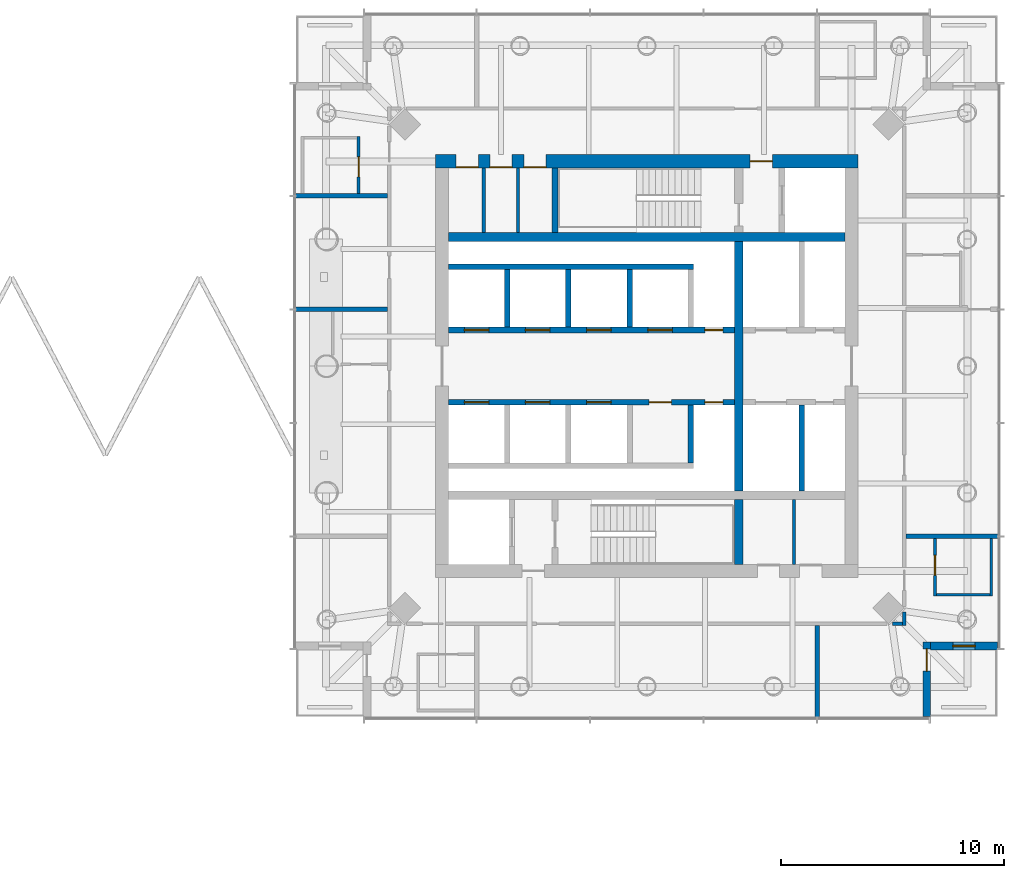
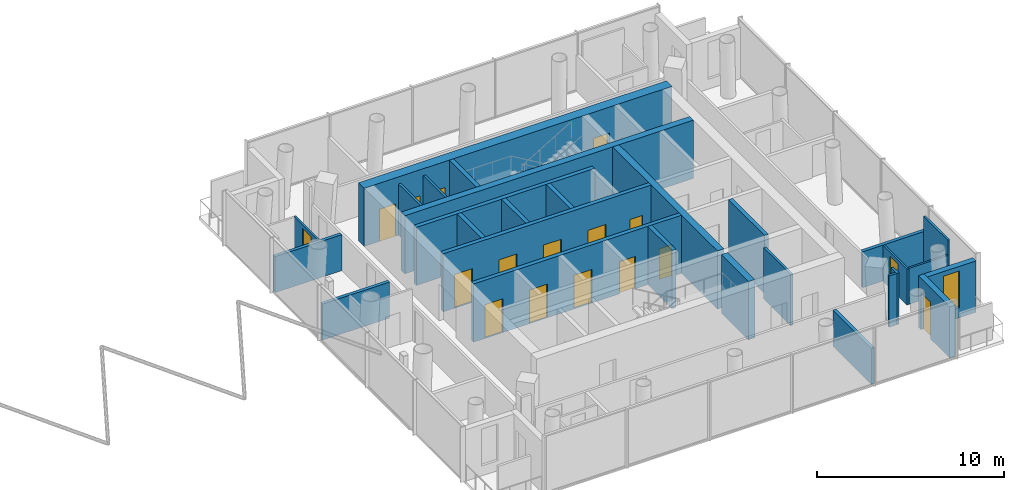
# One storey, part 14 of 19: 28 walls, 17 doors, 1 window, 18 openings.
"""IFC4 building model written with IfcOpenShell, lengths in metres."""

from ifc_helpers import new_model, si_unit, direction, frame, frame_2d, origin, place, context, subcontext, project, spatial, rectangle, extrude, material, layer, layer_set, type_object, element, fill, save


model = new_model("IFC4")

# Units and contexts
model_context = context("Model", 3, precision=1e-05, world=origin(), true_north=direction((0.0, 1.0)))
body_context = subcontext(model_context, "Body", "Model", "MODEL_VIEW")
ifc_project = project(units=[si_unit("LENGTHUNIT", "METRE"), si_unit("AREAUNIT", "SQUARE_METRE"), si_unit("VOLUMEUNIT", "CUBIC_METRE"), si_unit("PLANEANGLEUNIT", "RADIAN"), si_unit("MASSUNIT", "GRAM", prefix="KILO")], contexts=[model_context])

# Site, building, storey
site_placement = place(None, origin())
site = spatial("IfcSite", under=ifc_project, at=site_placement, CompositionType="ELEMENT")
building_placement = place(site_placement, origin())
building = spatial("IfcBuilding", under=site, at=building_placement, Name="Ostroluk Exchange", CompositionType="ELEMENT")
storey_placement = place(building_placement, frame((0.0, 0.0, 127.39990234375)))
storey = spatial("IfcBuildingStorey", under=building, at=storey_placement, Name="L32", CompositionType="ELEMENT", Elevation=127.39990234375)

# Walls
ifc_material_1 = material(Name="Concrete blockwork", Category="masonry")
ifc_layer_1 = layer(ifc_material_1, 0.14990234375)
ifc_layer_set_1 = layer_set([ifc_layer_1], Name="Blockwork plant room wall 150")
wall_type_1 = type_object("IfcWallType", Name="Blockwork plant room wall 150", PredefinedType="SOLIDWALL", material=ifc_layer_set_1)
for number, where, z_axis, x_axis, name in (
    (1, (123.614990234375, 37.10009765625, 0.0), (0.0, 0.0, 1.0), (0.0, 1.0, 0.0), "Core room wall"),
    (2, (109.680908203125, 52.0, 0.0), (0.0, 0.0, 1.0), (0.0, 1.0, 0.0), "Core room wall"),
    (3, (111.215576171875, 52.0, 0.0), (0.0, 0.0, 1.0), (0.0, 1.0, 0.0), "Core room wall"),
):
    element("IfcWall", number, at=place(storey_placement, frame(where, z_axis=z_axis, x_axis=x_axis)), inside=storey, type_object=wall_type_1, Name=name, PredefinedType="SOLIDWALL", context=body_context, shape_type="SweptSolid", body=[
        extrude(rectangle(XDim=2.89990234375, YDim=0.14990234375, at=frame_2d((1.449951171875, 0.0))), origin(), (0.0, 0.0, 1.0), 3.35009765625),
    ])
ifc_material_2 = material(Name="Concrete C50/60", Category="concrete")
ifc_layer_2 = layer(ifc_material_2, 0.39990234375)
ifc_layer_set_2 = layer_set([ifc_layer_2], Name="Core cross wall 400 C50/60")
wall_type_2 = type_object("IfcWallType", Name="Core cross wall 400 C50/60", PredefinedType="SHEAR", material=ifc_layer_set_2)
wall_1_placement = place(storey_placement, frame((108.10009765625, 51.800048828125, 0.0), z_axis=(0.0, 0.0, 1.0), x_axis=(1.0, 0.0, 0.0)))
element("IfcWall", 4, at=wall_1_placement, inside=storey, type_object=wall_type_2, Name="T2 core wall XN", PredefinedType="SHEAR", context=body_context, shape_type="SweptSolid", body=[
    extrude(rectangle(XDim=17.7998046875, YDim=0.39990234375, at=frame_2d((8.89990234375, 0.0))), origin(), (0.0, 0.0, 1.0), 3.800048828125),
])
wall_2_placement = place(storey_placement, frame((121.1298828125, 37.10009765625, 0.0), z_axis=(0.0, 0.0, 1.0), x_axis=(0.0, 1.0, 0.0)))
element("IfcWall", 5, at=wall_2_placement, inside=storey, type_object=wall_type_2, Name="T2 core wall YE1", PredefinedType="SHEAR", context=body_context, shape_type="SweptSolid", body=[
    extrude(rectangle(XDim=2.89990234375, YDim=0.39990234375, at=frame_2d((1.449951171875, 0.0))), origin(), (0.0, 0.0, 1.0), 3.800048828125),
])
wall_3_placement = place(storey_placement, frame((121.1298828125, 40.39990234375, 0.0), z_axis=(0.0, 0.0, 1.0), x_axis=(0.0, 1.0, 0.0)))
element("IfcWall", 6, at=wall_3_placement, inside=storey, type_object=wall_type_2, Name="T2 core wall YE2", PredefinedType="SHEAR", context=body_context, shape_type="SweptSolid", body=[
    extrude(rectangle(XDim=11.2001953125, YDim=0.39990234375, at=frame_2d((5.60009765625, 0.0))), origin(), (0.0, 0.0, 1.0), 3.800048828125),
])
ifc_material_3 = material(Name="Concrete C40/50", Category="concrete")
ifc_layer_3 = layer(ifc_material_3, 0.25)
ifc_layer_set_3 = layer_set([ifc_layer_3], Name="Core shaft wall 250")
wall_type_3 = type_object("IfcWallType", Name="Core shaft wall 250", PredefinedType="SHEAR", material=ifc_layer_set_3)
wall_4_placement = place(storey_placement, frame((112.875, 52.0, 0.0), z_axis=(0.0, 0.0, 1.0), x_axis=(0.0, 1.0, 0.0)))
element("IfcWall", 7, at=wall_4_placement, inside=storey, type_object=wall_type_3, Name="Stair shaft wall", PredefinedType="SHEAR", context=body_context, shape_type="SweptSolid", body=[
    extrude(rectangle(XDim=2.89990234375, YDim=0.25, at=frame_2d((1.449951171875, 0.0))), origin(), (0.0, 0.0, 1.0), 3.800048828125),
])
for number, where, z_axis, x_axis, name in (
    (8, (110.72509765625, 47.75, 0.0), (0.0, 0.0, 1.0), (0.0, 1.0, 0.0), "Lift shaft wall"),
    (9, (113.47509765625, 47.75, 0.0), (0.0, 0.0, 1.0), (0.0, 1.0, 0.0), "Lift shaft wall"),
    (10, (116.22509765625, 47.75, 0.0), (0.0, 0.0, 1.0), (0.0, 1.0, 0.0), "Lift shaft wall"),
):
    element("IfcWall", number, at=place(storey_placement, frame(where, z_axis=z_axis, x_axis=x_axis)), inside=storey, type_object=wall_type_3, Name=name, PredefinedType="SHEAR", context=body_context, shape_type="SweptSolid", body=[
        extrude(rectangle(XDim=2.60009765625, YDim=0.25, at=frame_2d((1.300048828125, 0.0))), origin(), (0.0, 0.0, 1.0), 3.800048828125),
    ])
wall_5_placement = place(storey_placement, frame((108.10009765625, 50.47509765625, 0.0), z_axis=(0.0, 0.0, 1.0), x_axis=(1.0, 0.0, 0.0)))
element("IfcWall", 11, at=wall_5_placement, inside=storey, type_object=wall_type_3, Name="Lift shaft wall", PredefinedType="SHEAR", context=body_context, shape_type="SweptSolid", body=[
    extrude(rectangle(XDim=11.0, YDim=0.25, at=frame_2d((5.5, 0.0))), origin(), (0.0, 0.0, 1.0), 3.800048828125),
])

# Wall, openings, doors
wall_6_placement = place(storey_placement, frame((108.10009765625, 47.625, 0.0), z_axis=(0.0, 0.0, 1.0), x_axis=(1.0, 0.0, 0.0)))
wall_6 = element("IfcWall", 12, at=wall_6_placement, inside=storey, type_object=wall_type_3, Name="Lift shaft front wall", PredefinedType="SHEAR", context=body_context, shape_type="SweptSolid", body=[
    extrude(rectangle(XDim=12.829833984375, YDim=0.25, at=frame_2d((6.4150390625, 0.0))), origin(), (0.0, 0.0, 1.0), 3.800048828125),
])
opening_1_placement = place(wall_6_placement, frame((0.699951171875, 0.0, 0.0)))
opening_1 = element("IfcOpeningElement", 13, at=opening_1_placement, cuts=wall_6, Name="Opening LD", PredefinedType="OPENING", context=body_context, shape_type="SweptSolid", body=[
    extrude(rectangle(XDim=1.10009765625, YDim=2.199951171875, at=frame_2d((0.550048828125, 1.10009765625))), frame((0.0, 0.135009765625, 0.0), z_axis=(0.0, -1.0, 0.0), x_axis=(1.0, 0.0, 0.0)), (0.0, 0.0, 1.0), 0.27001953125),
])
opening_2_placement = place(wall_6_placement, frame((3.449951171875, 0.0, 0.0)))
opening_2 = element("IfcOpeningElement", 14, at=opening_2_placement, cuts=wall_6, Name="Opening LD", PredefinedType="OPENING", context=body_context, shape_type="SweptSolid", body=[
    extrude(rectangle(XDim=1.10009765625, YDim=2.199951171875, at=frame_2d((0.550048828125, 1.10009765625))), frame((0.0, 0.135009765625, 0.0), z_axis=(0.0, -1.0, 0.0), x_axis=(1.0, 0.0, 0.0)), (0.0, 0.0, 1.0), 0.27001953125),
])
opening_3_placement = place(wall_6_placement, frame((6.199951171875, 0.0, 0.0)))
opening_3 = element("IfcOpeningElement", 15, at=opening_3_placement, cuts=wall_6, Name="Opening LD", PredefinedType="OPENING", context=body_context, shape_type="SweptSolid", body=[
    extrude(rectangle(XDim=1.10009765625, YDim=2.199951171875, at=frame_2d((0.550048828125, 1.10009765625))), frame((0.0, 0.135009765625, 0.0), z_axis=(0.0, -1.0, 0.0), x_axis=(1.0, 0.0, 0.0)), (0.0, 0.0, 1.0), 0.27001953125),
])
opening_4_placement = place(wall_6_placement, frame((8.949951171875, 0.0, 0.0)))
opening_4 = element("IfcOpeningElement", 16, at=opening_4_placement, cuts=wall_6, Name="Opening LD", PredefinedType="OPENING", context=body_context, shape_type="SweptSolid", body=[
    extrude(rectangle(XDim=1.10009765625, YDim=2.199951171875, at=frame_2d((0.550048828125, 1.10009765625))), frame((0.0, 0.135009765625, 0.0), z_axis=(0.0, -1.0, 0.0), x_axis=(1.0, 0.0, 0.0)), (0.0, 0.0, 1.0), 0.27001953125),
])
opening_5_placement = place(wall_6_placement, frame((11.514892578125, 0.0, 0.0)))
opening_5 = element("IfcOpeningElement", 17, at=opening_5_placement, cuts=wall_6, Name="Opening RD60", PredefinedType="OPENING", context=body_context, shape_type="SweptSolid", body=[
    extrude(rectangle(XDim=0.800048828125, YDim=2.0, at=frame_2d((0.39990234375, 1.0))), frame((0.0, 0.135009765625, 0.0), z_axis=(0.0, -1.0, 0.0), x_axis=(1.0, 0.0, 0.0)), (0.0, 0.0, 1.0), 0.27001953125),
])
ifc_material_4 = material(Name="Stainless steel", Category="steel")
door_type_1 = type_object("IfcDoorType", Name="Lift landing door E 60 1100 x 2200", OperationType="DOUBLE_DOOR_SLIDING", PredefinedType="DOOR", material=ifc_material_4)
door_1_placement = place(opening_1_placement, origin())
door_1 = element("IfcDoor", 18, at=door_1_placement, inside=storey, type_object=door_type_1, Name="Lift HL1 landing door", OperationType="DOUBLE_DOOR_SLIDING", OverallHeight=2.199951171875, OverallWidth=1.10009765625, PredefinedType="DOOR", context=body_context, shape_type="SweptSolid", body=[
    extrude(rectangle(XDim=1.10009765625, YDim=2.199951171875, at=frame_2d((0.550048828125, 1.10009765625))), frame((0.0, 0.02490234375, 0.0), z_axis=(0.0, -1.0, 0.0), x_axis=(1.0, 0.0, 0.0)), (0.0, 0.0, 1.0), 0.050048828125),
])
fill(opening_1, door_1)
door_2_placement = place(opening_2_placement, origin())
door_2 = element("IfcDoor", 19, at=door_2_placement, inside=storey, type_object=door_type_1, Name="Lift HL2 landing door", OperationType="DOUBLE_DOOR_SLIDING", OverallHeight=2.199951171875, OverallWidth=1.10009765625, PredefinedType="DOOR", context=body_context, shape_type="SweptSolid", body=[
    extrude(rectangle(XDim=1.10009765625, YDim=2.199951171875, at=frame_2d((0.550048828125, 1.10009765625))), frame((0.0, 0.02490234375, 0.0), z_axis=(0.0, -1.0, 0.0), x_axis=(1.0, 0.0, 0.0)), (0.0, 0.0, 1.0), 0.050048828125),
])
fill(opening_2, door_2)
door_3_placement = place(opening_3_placement, origin())
door_3 = element("IfcDoor", 20, at=door_3_placement, inside=storey, type_object=door_type_1, Name="Lift HL3 landing door", OperationType="DOUBLE_DOOR_SLIDING", OverallHeight=2.199951171875, OverallWidth=1.10009765625, PredefinedType="DOOR", context=body_context, shape_type="SweptSolid", body=[
    extrude(rectangle(XDim=1.10009765625, YDim=2.199951171875, at=frame_2d((0.550048828125, 1.10009765625))), frame((0.0, 0.02490234375, 0.0), z_axis=(0.0, -1.0, 0.0), x_axis=(1.0, 0.0, 0.0)), (0.0, 0.0, 1.0), 0.050048828125),
])
fill(opening_3, door_3)
door_4_placement = place(opening_4_placement, origin())
door_4 = element("IfcDoor", 21, at=door_4_placement, inside=storey, type_object=door_type_1, Name="Lift HL4 landing door", OperationType="DOUBLE_DOOR_SLIDING", OverallHeight=2.199951171875, OverallWidth=1.10009765625, PredefinedType="DOOR", context=body_context, shape_type="SweptSolid", body=[
    extrude(rectangle(XDim=1.10009765625, YDim=2.199951171875, at=frame_2d((0.550048828125, 1.10009765625))), frame((0.0, 0.02490234375, 0.0), z_axis=(0.0, -1.0, 0.0), x_axis=(1.0, 0.0, 0.0)), (0.0, 0.0, 1.0), 0.050048828125),
])
fill(opening_4, door_4)
ifc_material_5 = material(Name="Steel", Category="steel")
door_type_2 = type_object("IfcDoorType", Name="Riser access door EI 60 800 x 2000", OperationType="SINGLE_SWING_LEFT", PredefinedType="DOOR", material=ifc_material_5)
door_5_placement = place(opening_5_placement, origin())
door_5 = element("IfcDoor", 22, at=door_5_placement, inside=storey, type_object=door_type_2, Name="Riser access door", OperationType="SINGLE_SWING_RIGHT", OverallHeight=2.0, OverallWidth=0.800048828125, PredefinedType="DOOR", context=body_context, shape_type="SweptSolid", body=[
    extrude(rectangle(XDim=0.800048828125, YDim=2.0, at=frame_2d((0.39990234375, 1.0))), frame((0.0, 0.02490234375, 0.0), z_axis=(0.0, -1.0, 0.0), x_axis=(1.0, 0.0, 0.0)), (0.0, 0.0, 1.0), 0.050048828125),
])
fill(opening_5, door_5)

# Wall
wall_7_placement = place(storey_placement, frame((118.97509765625, 44.25, 0.0), z_axis=(0.0, 0.0, 1.0), x_axis=(0.0, -1.0, 0.0)))
element("IfcWall", 23, at=wall_7_placement, inside=storey, type_object=wall_type_3, Name="Lift shaft wall", PredefinedType="SHEAR", context=body_context, shape_type="SweptSolid", body=[
    extrude(rectangle(XDim=2.60009765625, YDim=0.25, at=frame_2d((1.300048828125, 0.0))), origin(), (0.0, 0.0, 1.0), 3.800048828125),
])

# Wall, openings, doors
wall_8_placement = place(storey_placement, frame((108.10009765625, 44.375, 0.0), z_axis=(0.0, 0.0, 1.0), x_axis=(1.0, 0.0, 0.0)))
wall_8 = element("IfcWall", 24, at=wall_8_placement, inside=storey, type_object=wall_type_3, Name="Lift shaft front wall", PredefinedType="SHEAR", context=body_context, shape_type="SweptSolid", body=[
    extrude(rectangle(XDim=12.829833984375, YDim=0.25, at=frame_2d((6.4150390625, 0.0))), origin(), (0.0, 0.0, 1.0), 3.800048828125),
])
opening_6_placement = place(wall_8_placement, frame((0.699951171875, 0.0, 0.0)))
opening_6 = element("IfcOpeningElement", 25, at=opening_6_placement, cuts=wall_8, Name="Opening LD", PredefinedType="OPENING", context=body_context, shape_type="SweptSolid", body=[
    extrude(rectangle(XDim=1.10009765625, YDim=2.199951171875, at=frame_2d((0.550048828125, 1.10009765625))), frame((0.0, 0.135009765625, 0.0), z_axis=(0.0, -1.0, 0.0), x_axis=(1.0, 0.0, 0.0)), (0.0, 0.0, 1.0), 0.27001953125),
])
opening_7_placement = place(wall_8_placement, frame((3.449951171875, 0.0, 0.0)))
opening_7 = element("IfcOpeningElement", 26, at=opening_7_placement, cuts=wall_8, Name="Opening LD", PredefinedType="OPENING", context=body_context, shape_type="SweptSolid", body=[
    extrude(rectangle(XDim=1.10009765625, YDim=2.199951171875, at=frame_2d((0.550048828125, 1.10009765625))), frame((0.0, 0.135009765625, 0.0), z_axis=(0.0, -1.0, 0.0), x_axis=(1.0, 0.0, 0.0)), (0.0, 0.0, 1.0), 0.27001953125),
])
opening_8_placement = place(wall_8_placement, frame((6.199951171875, 0.0, 0.0)))
opening_8 = element("IfcOpeningElement", 27, at=opening_8_placement, cuts=wall_8, Name="Opening LD", PredefinedType="OPENING", context=body_context, shape_type="SweptSolid", body=[
    extrude(rectangle(XDim=1.10009765625, YDim=2.199951171875, at=frame_2d((0.550048828125, 1.10009765625))), frame((0.0, 0.135009765625, 0.0), z_axis=(0.0, -1.0, 0.0), x_axis=(1.0, 0.0, 0.0)), (0.0, 0.0, 1.0), 0.27001953125),
])
opening_9_placement = place(wall_8_placement, frame((9.0, 0.0, 0.0)))
opening_9 = element("IfcOpeningElement", 28, at=opening_9_placement, cuts=wall_8, Name="Opening FD60", PredefinedType="OPENING", context=body_context, shape_type="SweptSolid", body=[
    extrude(rectangle(XDim=1.0, YDim=2.10009765625, at=frame_2d((0.5, 1.050048828125))), frame((0.0, 0.135009765625, 0.0), z_axis=(0.0, -1.0, 0.0), x_axis=(1.0, 0.0, 0.0)), (0.0, 0.0, 1.0), 0.27001953125),
])
opening_10_placement = place(wall_8_placement, frame((11.514892578125, 0.0, 0.0)))
opening_10 = element("IfcOpeningElement", 29, at=opening_10_placement, cuts=wall_8, Name="Opening RD60", PredefinedType="OPENING", context=body_context, shape_type="SweptSolid", body=[
    extrude(rectangle(XDim=0.800048828125, YDim=2.0, at=frame_2d((0.39990234375, 1.0))), frame((0.0, 0.135009765625, 0.0), z_axis=(0.0, -1.0, 0.0), x_axis=(1.0, 0.0, 0.0)), (0.0, 0.0, 1.0), 0.27001953125),
])
ifc_material_6 = material(Name="Steel", Category="steel")
door_type_3 = type_object("IfcDoorType", Name="Fire door EI 60 1000 x 2100", OperationType="SINGLE_SWING_LEFT", PredefinedType="DOOR", material=ifc_material_6)
door_6_placement = place(opening_9_placement, origin())
door_6 = element("IfcDoor", 30, at=door_6_placement, inside=storey, type_object=door_type_3, Name="Core room door", OperationType="SINGLE_SWING_RIGHT", OverallHeight=2.10009765625, OverallWidth=1.0, PredefinedType="DOOR", context=body_context, shape_type="SweptSolid", body=[
    extrude(rectangle(XDim=1.0, YDim=2.10009765625, at=frame_2d((0.5, 1.050048828125))), frame((0.0, 0.02490234375, 0.0), z_axis=(0.0, -1.0, 0.0), x_axis=(1.0, 0.0, 0.0)), (0.0, 0.0, 1.0), 0.050048828125),
])
fill(opening_9, door_6)
door_7_placement = place(opening_6_placement, origin())
door_7 = element("IfcDoor", 31, at=door_7_placement, inside=storey, type_object=door_type_1, Name="Lift HL5 landing door", OperationType="DOUBLE_DOOR_SLIDING", OverallHeight=2.199951171875, OverallWidth=1.10009765625, PredefinedType="DOOR", context=body_context, shape_type="SweptSolid", body=[
    extrude(rectangle(XDim=1.10009765625, YDim=2.199951171875, at=frame_2d((0.550048828125, 1.10009765625))), frame((0.0, 0.02490234375, 0.0), z_axis=(0.0, -1.0, 0.0), x_axis=(1.0, 0.0, 0.0)), (0.0, 0.0, 1.0), 0.050048828125),
])
fill(opening_6, door_7)
door_8_placement = place(opening_7_placement, origin())
door_8 = element("IfcDoor", 32, at=door_8_placement, inside=storey, type_object=door_type_1, Name="Lift HL6 landing door", OperationType="DOUBLE_DOOR_SLIDING", OverallHeight=2.199951171875, OverallWidth=1.10009765625, PredefinedType="DOOR", context=body_context, shape_type="SweptSolid", body=[
    extrude(rectangle(XDim=1.10009765625, YDim=2.199951171875, at=frame_2d((0.550048828125, 1.10009765625))), frame((0.0, 0.02490234375, 0.0), z_axis=(0.0, -1.0, 0.0), x_axis=(1.0, 0.0, 0.0)), (0.0, 0.0, 1.0), 0.050048828125),
])
fill(opening_7, door_8)
door_9_placement = place(opening_8_placement, origin())
door_9 = element("IfcDoor", 33, at=door_9_placement, inside=storey, type_object=door_type_1, Name="Lift HL7 landing door", OperationType="DOUBLE_DOOR_SLIDING", OverallHeight=2.199951171875, OverallWidth=1.10009765625, PredefinedType="DOOR", context=body_context, shape_type="SweptSolid", body=[
    extrude(rectangle(XDim=1.10009765625, YDim=2.199951171875, at=frame_2d((0.550048828125, 1.10009765625))), frame((0.0, 0.02490234375, 0.0), z_axis=(0.0, -1.0, 0.0), x_axis=(1.0, 0.0, 0.0)), (0.0, 0.0, 1.0), 0.050048828125),
])
fill(opening_8, door_9)
door_10_placement = place(opening_10_placement, origin())
door_10 = element("IfcDoor", 34, at=door_10_placement, inside=storey, type_object=door_type_2, Name="Riser access door", OperationType="SINGLE_SWING_RIGHT", OverallHeight=2.0, OverallWidth=0.800048828125, PredefinedType="DOOR", context=body_context, shape_type="SweptSolid", body=[
    extrude(rectangle(XDim=0.800048828125, YDim=2.0, at=frame_2d((0.39990234375, 1.0))), frame((0.0, 0.02490234375, 0.0), z_axis=(0.0, -1.0, 0.0), x_axis=(1.0, 0.0, 0.0)), (0.0, 0.0, 1.0), 0.050048828125),
])
fill(opening_10, door_10)

# Wall
wall_9_placement = place(storey_placement, frame((123.955078125, 44.25, 0.0), z_axis=(0.0, 0.0, 1.0), x_axis=(0.0, -1.0, 0.0)))
element("IfcWall", 35, at=wall_9_placement, inside=storey, type_object=wall_type_3, Name="Lift shaft wall", PredefinedType="SHEAR", context=body_context, shape_type="SweptSolid", body=[
    extrude(rectangle(XDim=3.85009765625, YDim=0.25, at=frame_2d((1.925048828125, 0.0))), origin(), (0.0, 0.0, 1.0), 3.800048828125),
])

# Wall, openings, doors
ifc_material_7 = material(Name="Concrete C50/60", Category="concrete")
ifc_layer_4 = layer(ifc_material_7, 0.60009765625)
ifc_layer_set_4 = layer_set([ifc_layer_4], Name="Core wall 600 C50/60")
wall_type_4 = type_object("IfcWallType", Name="Core wall 600 C50/60", PredefinedType="SHEAR", material=ifc_layer_set_4)
wall_10_placement = place(storey_placement, frame((107.5, 55.199951171875, 0.0), z_axis=(0.0, 0.0, 1.0), x_axis=(1.0, 0.0, 0.0)))
wall_10 = element("IfcWall", 36, at=wall_10_placement, inside=storey, type_object=wall_type_4, Name="T2 core wall N", PredefinedType="SHEAR", context=body_context, shape_type="SweptSolid", body=[
    extrude(rectangle(XDim=19.0, YDim=0.60009765625, at=frame_2d((9.5, 0.0))), origin(), (0.0, 0.0, 1.0), 3.800048828125),
])
opening_11_placement = place(wall_10_placement, frame((14.139892578125, 0.0, 0.0)))
opening_11 = element("IfcOpeningElement", 37, at=opening_11_placement, cuts=wall_10, Name="Opening FD60", PredefinedType="OPENING", context=body_context, shape_type="SweptSolid", body=[
    extrude(rectangle(XDim=1.0, YDim=2.10009765625, at=frame_2d((0.5, 1.050048828125))), frame((0.0, 0.31005859375, 0.0), z_axis=(0.0, -1.0, 0.0), x_axis=(1.0, 0.0, 0.0)), (0.0, 0.0, 1.0), 0.6201171875),
])
opening_12_placement = place(wall_10_placement, frame((0.930908203125, 0.0, 0.0)))
opening_12 = element("IfcOpeningElement", 38, at=opening_12_placement, cuts=wall_10, Name="Opening FD60", PredefinedType="OPENING", context=body_context, shape_type="SweptSolid", body=[
    extrude(rectangle(XDim=1.0, YDim=2.10009765625, at=frame_2d((0.5, 1.050048828125))), frame((0.0, 0.31005859375, 0.0), z_axis=(0.0, -1.0, 0.0), x_axis=(1.0, 0.0, 0.0)), (0.0, 0.0, 1.0), 0.6201171875),
])
opening_13_placement = place(wall_10_placement, frame((2.4482421875, 0.0, 0.0)))
opening_13 = element("IfcOpeningElement", 39, at=opening_13_placement, cuts=wall_10, Name="Opening FD60", PredefinedType="OPENING", context=body_context, shape_type="SweptSolid", body=[
    extrude(rectangle(XDim=1.0, YDim=2.10009765625, at=frame_2d((0.5, 1.050048828125))), frame((0.0, 0.31005859375, 0.0), z_axis=(0.0, -1.0, 0.0), x_axis=(1.0, 0.0, 0.0)), (0.0, 0.0, 1.0), 0.6201171875),
])
opening_14_placement = place(wall_10_placement, frame((3.982666015625, 0.0, 0.0)))
opening_14 = element("IfcOpeningElement", 40, at=opening_14_placement, cuts=wall_10, Name="Opening FD60", PredefinedType="OPENING", context=body_context, shape_type="SweptSolid", body=[
    extrude(rectangle(XDim=1.0, YDim=2.10009765625, at=frame_2d((0.5, 1.050048828125))), frame((0.0, 0.31005859375, 0.0), z_axis=(0.0, -1.0, 0.0), x_axis=(1.0, 0.0, 0.0)), (0.0, 0.0, 1.0), 0.6201171875),
])
door_11_placement = place(opening_11_placement, origin())
door_11 = element("IfcDoor", 41, at=door_11_placement, inside=storey, type_object=door_type_3, Name="Firefighting lobby door", OperationType="SINGLE_SWING_RIGHT", OverallHeight=2.10009765625, OverallWidth=1.0, PredefinedType="DOOR", context=body_context, shape_type="SweptSolid", body=[
    extrude(rectangle(XDim=1.0, YDim=2.10009765625, at=frame_2d((0.5, 1.050048828125))), frame((0.0, 0.02490234375, 0.0), z_axis=(0.0, -1.0, 0.0), x_axis=(1.0, 0.0, 0.0)), (0.0, 0.0, 1.0), 0.050048828125),
])
fill(opening_11, door_11)
door_12_placement = place(opening_12_placement, origin())
door_12 = element("IfcDoor", 42, at=door_12_placement, inside=storey, type_object=door_type_3, Name="Luggage store door", OperationType="SINGLE_SWING_LEFT", OverallHeight=2.10009765625, OverallWidth=1.0, PredefinedType="DOOR", context=body_context, shape_type="SweptSolid", body=[
    extrude(rectangle(XDim=1.0, YDim=2.10009765625, at=frame_2d((0.5, 1.050048828125))), frame((0.0, -0.23974609375, 0.0), z_axis=(0.0, -1.0, 0.0), x_axis=(1.0, 0.0, 0.0)), (0.0, 0.0, 1.0), 0.050048828125),
])
fill(opening_12, door_12)
door_13_placement = place(opening_13_placement, origin())
door_13 = element("IfcDoor", 43, at=door_13_placement, inside=storey, type_object=door_type_3, Name="Comms room door", OperationType="SINGLE_SWING_LEFT", OverallHeight=2.10009765625, OverallWidth=1.0, PredefinedType="DOOR", context=body_context, shape_type="SweptSolid", body=[
    extrude(rectangle(XDim=1.0, YDim=2.10009765625, at=frame_2d((0.5, 1.050048828125))), frame((0.0, -0.23974609375, 0.0), z_axis=(0.0, -1.0, 0.0), x_axis=(1.0, 0.0, 0.0)), (0.0, 0.0, 1.0), 0.050048828125),
])
fill(opening_13, door_13)
door_14_placement = place(opening_14_placement, origin())
door_14 = element("IfcDoor", 44, at=door_14_placement, inside=storey, type_object=door_type_3, Name="Linen store door", OperationType="SINGLE_SWING_LEFT", OverallHeight=2.10009765625, OverallWidth=1.0, PredefinedType="DOOR", context=body_context, shape_type="SweptSolid", body=[
    extrude(rectangle(XDim=1.0, YDim=2.10009765625, at=frame_2d((0.5, 1.050048828125))), frame((0.0, -0.23974609375, 0.0), z_axis=(0.0, -1.0, 0.0), x_axis=(1.0, 0.0, 0.0)), (0.0, 0.0, 1.0), 0.050048828125),
])
fill(opening_14, door_14)

# Wall, opening, door
ifc_material_8 = material(Name="Limestone", Category="masonry")
ifc_layer_5 = layer(ifc_material_8, 0.35009765625)
ifc_layer_set_5 = layer_set([ifc_layer_5], Name="Limestone facade wall 350")
wall_type_5 = type_object("IfcWallType", Name="Limestone facade wall 350", PredefinedType="SOLIDWALL", material=ifc_layer_set_5)
wall_11_placement = place(storey_placement, frame((129.574951171875, 30.25, 0.0), z_axis=(0.0, 0.0, 1.0), x_axis=(0.0, 1.0, 0.0)))
wall_11 = element("IfcWall", 45, at=wall_11_placement, inside=storey, type_object=wall_type_5, Name="Hotel tower SE corner wall L32 a", PredefinedType="SOLIDWALL", context=body_context, shape_type="SweptSolid", body=[
    extrude(rectangle(XDim=3.35009765625, YDim=0.35009765625, at=frame_2d((1.675048828125, 0.0))), origin(), (0.0, 0.0, 1.0), 3.35009765625),
])
opening_15_placement = place(wall_11_placement, frame((2.050048828125, 0.0, 0.0)))
opening_15 = element("IfcOpeningElement", 46, at=opening_15_placement, cuts=wall_11, Name="Opening D-B1", PredefinedType="OPENING", context=body_context, shape_type="SweptSolid", body=[
    extrude(rectangle(XDim=1.0, YDim=2.39990234375, at=frame_2d((0.5, 1.199951171875))), frame((0.0, 0.18505859375, 0.0), z_axis=(0.0, -1.0, 0.0), x_axis=(1.0, 0.0, 0.0)), (0.0, 0.0, 1.0), 0.3701171875),
])
ifc_material_9 = material(Name="Bronze framed glazed door", Category="aluminium")
door_type_4 = type_object("IfcDoorType", Name="Balcony door 1000 x 2400", OperationType="SINGLE_SWING_LEFT", PredefinedType="DOOR", material=ifc_material_9)
door_15_placement = place(opening_15_placement, origin())
door_15 = element("IfcDoor", 47, at=door_15_placement, inside=storey, type_object=door_type_4, Name="Hotel tower SE balcony door L32", OperationType="SINGLE_SWING_RIGHT", OverallHeight=2.39990234375, OverallWidth=1.0, PredefinedType="DOOR", context=body_context, shape_type="SweptSolid", body=[
    extrude(rectangle(XDim=1.0, YDim=2.39990234375, at=frame_2d((0.5, 1.199951171875))), frame((0.0, 0.02490234375, 0.0), z_axis=(0.0, -1.0, 0.0), x_axis=(1.0, 0.0, 0.0)), (0.0, 0.0, 1.0), 0.050048828125),
])
fill(opening_15, door_15)

# Wall, opening, window
wall_12_placement = place(storey_placement, frame((129.75, 33.425048828125, 0.0), z_axis=(0.0, 0.0, 1.0), x_axis=(1.0, 0.0, 0.0)))
wall_12 = element("IfcWall", 48, at=wall_12_placement, inside=storey, type_object=wall_type_5, Name="Hotel tower SE corner wall L32 b", PredefinedType="SOLIDWALL", context=body_context, shape_type="SweptSolid", body=[
    extrude(rectangle(XDim=3.0, YDim=0.35009765625, at=frame_2d((1.5, 0.0))), origin(), (0.0, 0.0, 1.0), 3.35009765625),
])
opening_16_placement = place(wall_12_placement, frame((1.0, 0.0, 0.64990234375)))
opening_16 = element("IfcOpeningElement", 49, at=opening_16_placement, cuts=wall_12, Name="Opening WN-L3", PredefinedType="OPENING", context=body_context, shape_type="SweptSolid", body=[
    extrude(rectangle(XDim=1.0, YDim=2.39990234375, at=frame_2d((0.5, 1.199951171875))), frame((0.0, 0.18505859375, 0.0), z_axis=(0.0, -1.0, 0.0), x_axis=(1.0, 0.0, 0.0)), (0.0, 0.0, 1.0), 0.3701171875),
])
ifc_material_10 = material(Name="Laminated clear glass", Category="glass")
window_type = type_object("IfcWindowType", Name="Hotel lancet window 1000 x 2400", PartitioningType="SINGLE_PANEL", PredefinedType="WINDOW", material=ifc_material_10)
window_placement = place(opening_16_placement, origin())
window = element("IfcWindow", 50, at=window_placement, inside=storey, type_object=window_type, Name="Hotel tower SE lancet window L32", OverallHeight=2.39990234375, OverallWidth=1.0, PartitioningType="SINGLE_PANEL", PredefinedType="WINDOW", context=body_context, shape_type="SweptSolid", body=[
    extrude(rectangle(XDim=1.0, YDim=2.39990234375, at=frame_2d((0.5, 1.199951171875))), frame((0.0, 0.030029296875, 0.0), z_axis=(0.0, -1.0, 0.0), x_axis=(1.0, 0.0, 0.0)), (0.0, 0.0, 1.0), 0.06005859375),
])
fill(opening_16, window)

# Wall, opening, door
ifc_material_11 = material(Name="Gypsum plasterboard partition, moisture resistant", Category="gypsum")
ifc_layer_6 = layer(ifc_material_11, 0.1201171875)
ifc_layer_set_6 = layer_set([ifc_layer_6], Name="Plasterboard en-suite wall 120")
wall_type_6 = type_object("IfcWallType", Name="Plasterboard en-suite wall 120", PredefinedType="PARTITIONING", material=ifc_layer_set_6)
wall_13_placement = place(storey_placement, frame((129.949951171875, 38.25, 0.0), z_axis=(0.0, 0.0, 1.0), x_axis=(0.0, -1.0, 0.0)))
wall_13 = element("IfcWall", 51, at=wall_13_placement, inside=storey, type_object=wall_type_6, Name="En-suite wall", PredefinedType="PARTITIONING", context=body_context, shape_type="SweptSolid", body=[
    extrude(rectangle(XDim=2.580078125, YDim=0.1201171875, at=frame_2d((1.2900390625, 0.0))), origin(), (0.0, 0.0, 1.0), 2.338134765625),
])
opening_17_placement = place(wall_13_placement, frame((0.75, 0.0, 0.0)))
opening_17 = element("IfcOpeningElement", 52, at=opening_17_placement, cuts=wall_13, Name="Opening D-02", PredefinedType="OPENING", context=body_context, shape_type="SweptSolid", body=[
    extrude(rectangle(XDim=0.89990234375, YDim=2.10009765625, at=frame_2d((0.449951171875, 1.050048828125))), frame((0.0, 0.070068359375, 0.0), z_axis=(0.0, -1.0, 0.0), x_axis=(1.0, 0.0, 0.0)), (0.0, 0.0, 1.0), 0.14013671875),
])
ifc_material_12 = material(Name="Timber", Category="wood")
door_type_5 = type_object("IfcDoorType", Name="En-suite door 900 x 2100", OperationType="SINGLE_SWING_LEFT", PredefinedType="DOOR", material=ifc_material_12)
door_16_placement = place(opening_17_placement, origin())
door_16 = element("IfcDoor", 53, at=door_16_placement, inside=storey, type_object=door_type_5, Name="En-suite door 3201", OperationType="SINGLE_SWING_LEFT", OverallHeight=2.10009765625, OverallWidth=0.89990234375, PredefinedType="DOOR", context=body_context, shape_type="SweptSolid", body=[
    extrude(rectangle(XDim=0.89990234375, YDim=2.10009765625, at=frame_2d((0.449951171875, 1.050048828125))), frame((0.0, 0.02490234375, 0.0), z_axis=(0.0, -1.0, 0.0), x_axis=(1.0, 0.0, 0.0)), (0.0, 0.0, 1.0), 0.050048828125),
])
fill(opening_17, door_16)

# Walls
wall_14_placement = place(storey_placement, frame((132.469970703125, 38.25, 0.0), z_axis=(0.0, 0.0, 1.0), x_axis=(0.0, -1.0, 0.0)))
element("IfcWall", 54, at=wall_14_placement, inside=storey, type_object=wall_type_6, Name="En-suite wall", PredefinedType="PARTITIONING", context=body_context, shape_type="SweptSolid", body=[
    extrude(rectangle(XDim=2.580078125, YDim=0.1201171875, at=frame_2d((1.2900390625, 0.0))), origin(), (0.0, 0.0, 1.0), 3.35009765625),
])
wall_15_placement = place(storey_placement, frame((130.010009765625, 35.72998046875, 0.0), z_axis=(0.0, 0.0, 1.0), x_axis=(1.0, 0.0, 0.0)))
element("IfcWall", 55, at=wall_15_placement, inside=storey, type_object=wall_type_6, Name="En-suite wall", PredefinedType="PARTITIONING", context=body_context, shape_type="SweptSolid", body=[
    extrude(rectangle(XDim=2.39990234375, YDim=0.1201171875, at=frame_2d((1.199951171875, 0.0))), origin(), (0.0, 0.0, 1.0), 2.35009765625),
])

# Wall, opening, door
wall_16_placement = place(storey_placement, frame((104.050048828125, 53.75, 0.0), z_axis=(0.0, 0.0, 1.0), x_axis=(0.0, 1.0, 0.0)))
wall_16 = element("IfcWall", 56, at=wall_16_placement, inside=storey, type_object=wall_type_6, Name="En-suite wall", PredefinedType="PARTITIONING", context=body_context, shape_type="SweptSolid", body=[
    extrude(rectangle(XDim=2.580078125, YDim=0.1201171875, at=frame_2d((1.2900390625, 0.0))), origin(), (0.0, 0.0, 1.0), 2.338134765625),
])
opening_18_placement = place(wall_16_placement, frame((0.75, 0.0, 0.0)))
opening_18 = element("IfcOpeningElement", 57, at=opening_18_placement, cuts=wall_16, Name="Opening D-02", PredefinedType="OPENING", context=body_context, shape_type="SweptSolid", body=[
    extrude(rectangle(XDim=0.89990234375, YDim=2.10009765625, at=frame_2d((0.449951171875, 1.050048828125))), frame((0.0, 0.070068359375, 0.0), z_axis=(0.0, -1.0, 0.0), x_axis=(1.0, 0.0, 0.0)), (0.0, 0.0, 1.0), 0.14013671875),
])
door_17_placement = place(opening_18_placement, origin())
door_17 = element("IfcDoor", 58, at=door_17_placement, inside=storey, type_object=door_type_5, Name="En-suite door 3205", OperationType="SINGLE_SWING_LEFT", OverallHeight=2.10009765625, OverallWidth=0.89990234375, PredefinedType="DOOR", context=body_context, shape_type="SweptSolid", body=[
    extrude(rectangle(XDim=0.89990234375, YDim=2.10009765625, at=frame_2d((0.449951171875, 1.050048828125))), frame((0.0, 0.02490234375, 0.0), z_axis=(0.0, -1.0, 0.0), x_axis=(1.0, 0.0, 0.0)), (0.0, 0.0, 1.0), 0.050048828125),
])
fill(opening_18, door_17)

# Walls
ifc_material_13 = material(Name="Gypsum plasterboard partition", Category="gypsum")
ifc_layer_7 = layer(ifc_material_13, 0.14990234375)
ifc_layer_set_7 = layer_set([ifc_layer_7], Name="Plasterboard partition 150")
wall_type_7 = type_object("IfcWallType", Name="Plasterboard partition 150", PredefinedType="PARTITIONING", material=ifc_layer_set_7)
wall_17_placement = place(storey_placement, frame((128.574951171875, 34.35009765625, 0.0), z_axis=(0.0, 0.0, 1.0), x_axis=(0.0, 1.0, 0.0)))
element("IfcWall", 59, at=wall_17_placement, inside=storey, type_object=wall_type_7, Name="Corridor wall", PredefinedType="PARTITIONING", context=body_context, shape_type="SweptSolid", body=[
    extrude(rectangle(XDim=0.615234375, YDim=0.14990234375, at=frame_2d((0.3076171875, 0.0))), origin(), (0.0, 0.0, 1.0), 3.35009765625),
])
wall_18_placement = place(storey_placement, frame((128.03466796875, 34.425048828125, 0.0), z_axis=(0.0, 0.0, 1.0), x_axis=(1.0, 0.0, 0.0)))
element("IfcWall", 60, at=wall_18_placement, inside=storey, type_object=wall_type_7, Name="Corridor wall", PredefinedType="PARTITIONING", context=body_context, shape_type="SweptSolid", body=[
    extrude(rectangle(XDim=0.46533203125, YDim=0.14990234375, at=frame_2d((0.232666015625, 0.0))), origin(), (0.0, 0.0, 1.0), 3.35009765625),
])
ifc_material_14 = material(Name="Gypsum plasterboard partition", Category="gypsum")
ifc_layer_8 = layer(ifc_material_14, 0.199951171875)
ifc_layer_set_8 = layer_set([ifc_layer_8], Name="Plasterboard party wall 200")
wall_type_8 = type_object("IfcWallType", Name="Plasterboard party wall 200", PredefinedType="PARTITIONING", material=ifc_layer_set_8)
for number, where, z_axis, x_axis, name in (
    (61, (128.64990234375, 38.35009765625, 0.0), (0.0, 0.0, 1.0), (1.0, 0.0, 0.0), "Party wall"),
    (62, (105.35009765625, 53.64990234375, 0.0), (0.0, 0.0, 1.0), (-1.0, 0.0, 0.0), "Party wall"),
    (63, (105.35009765625, 48.550048828125, 0.0), (0.0, 0.0, 1.0), (-1.0, 0.0, 0.0), "Party wall"),
    (64, (124.64990234375, 34.35009765625, 0.0), (0.0, 0.0, 1.0), (0.0, -1.0, 0.0), "Party wall"),
):
    element("IfcWall", number, at=place(storey_placement, frame(where, z_axis=z_axis, x_axis=x_axis)), inside=storey, type_object=wall_type_8, Name=name, PredefinedType="PARTITIONING", context=body_context, shape_type="SweptSolid", body=[
        extrude(rectangle(XDim=4.14013671875, YDim=0.199951171875, at=frame_2d((2.070068359375, 0.0))), origin(), (0.0, 0.0, 1.0), 2.35009765625),
    ])

save(model, "model.ifc")
